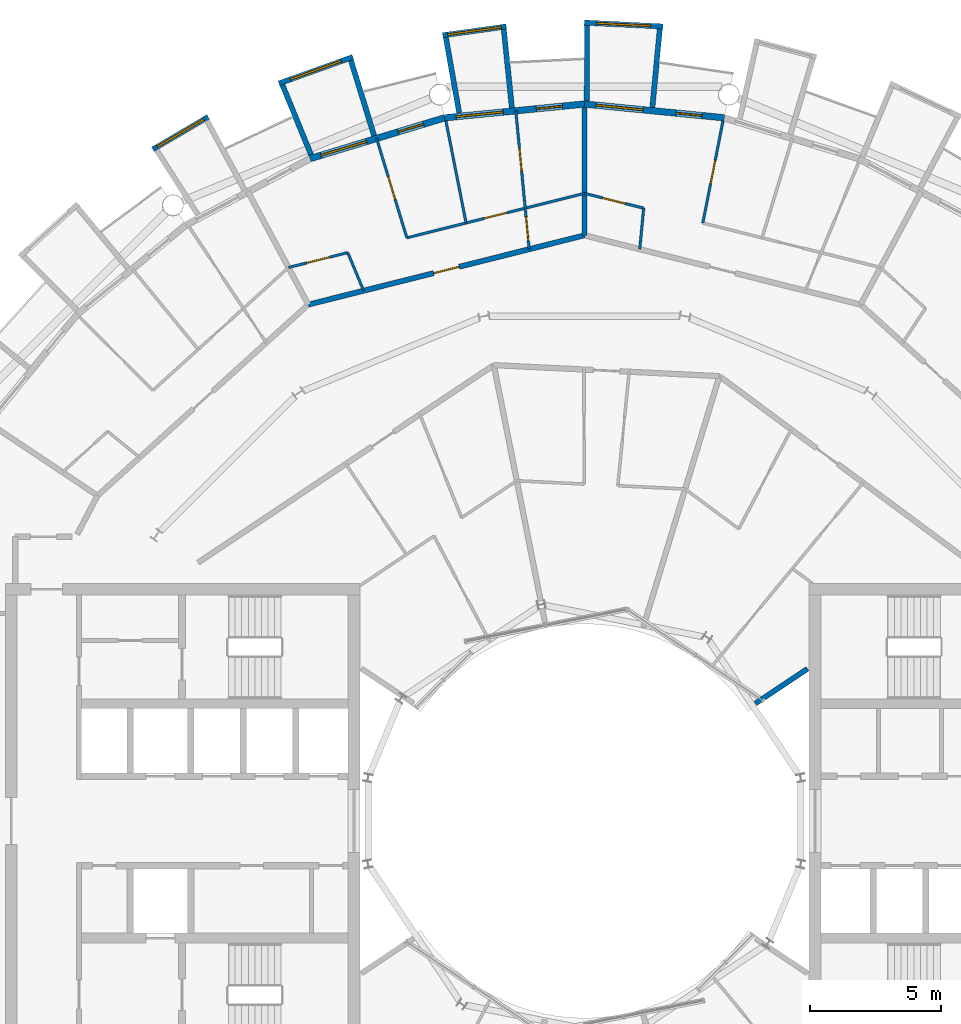
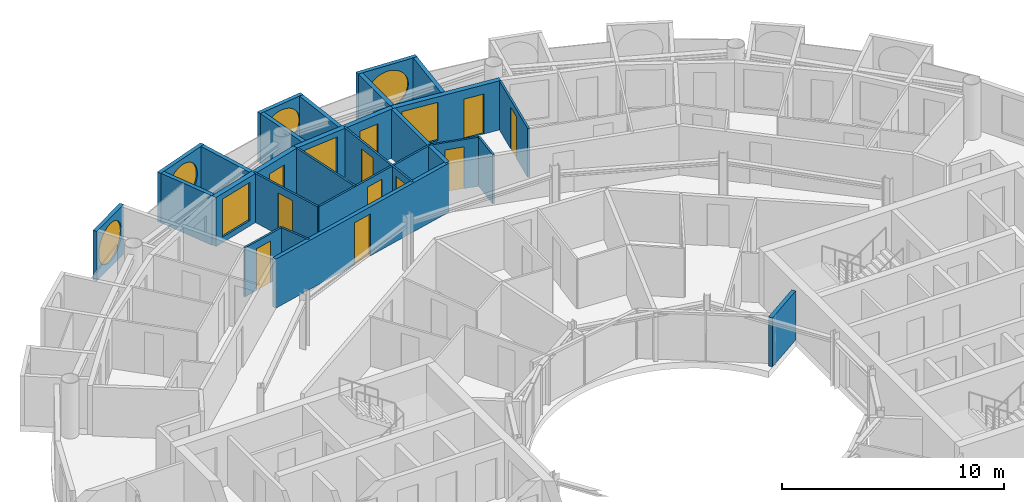
# One storey, part 22 of 29: 25 walls, 11 doors, 7 windows, 18 openings.
"""IFC4 building model written with IfcOpenShell, lengths in metres."""

from ifc_helpers import new_model, si_unit, direction, frame, frame_2d, origin, place, context, subcontext, project, spatial, rectangle, circle, extrude, material, layer, layer_set, type_object, element, fill, save


model = new_model("IFC4")

# Units and contexts
model_context = context("Model", 3, precision=1e-05, world=origin(), true_north=direction((0.0, 1.0)))
body_context = subcontext(model_context, "Body", "Model", "MODEL_VIEW")
ifc_project = project(units=[si_unit("LENGTHUNIT", "METRE"), si_unit("AREAUNIT", "SQUARE_METRE"), si_unit("VOLUMEUNIT", "CUBIC_METRE"), si_unit("PLANEANGLEUNIT", "RADIAN"), si_unit("MASSUNIT", "GRAM", prefix="KILO")], contexts=[model_context])

# Site, building, storey
site_placement = place(None, origin())
site = spatial("IfcSite", under=ifc_project, at=site_placement, CompositionType="ELEMENT")
building_placement = place(site_placement, origin())
building = spatial("IfcBuilding", under=site, at=building_placement, Name="Maasbend Ring Residences", CompositionType="ELEMENT")
storey_placement = place(building_placement, frame((0.0, 0.0, 193.25)))
storey = spatial("IfcBuildingStorey", under=building, at=storey_placement, Name="L55", CompositionType="ELEMENT", Elevation=193.25)

# Wall, opening, door
ifc_material_1 = material(Name="Concrete C30/37", Category="concrete")
ifc_layer_1 = layer(ifc_material_1, 0.199951171875)
ifc_layer_set_1 = layer_set([ifc_layer_1], Name="Concrete C30/37")
wall_type_1 = type_object("IfcWallType", Name="CORRIDOR WALL 200 CONCRETE", PredefinedType="PARTITIONING", material=ifc_layer_set_1)
wall_1_placement = place(storey_placement, frame((-10.52099609375, 19.662109375, 0.0), z_axis=(0.0, 0.0, 1.0), x_axis=(0.969975443945, 0.243202874456, 0.0)))
wall_1 = element("IfcWall", 1, at=wall_1_placement, inside=storey, type_object=wall_type_1, Name="U-L55-w105", PredefinedType="PARTITIONING", context=body_context, shape_type="SweptSolid", body=[
    extrude(rectangle(XDim=10.8466796875, YDim=0.199951171875, at=frame_2d((5.42333984375, 0.0))), origin(), (0.0, 0.0, 1.0), 2.699951171875),
])
opening_1_placement = place(wall_1_placement, frame((4.927978515625, 0.0, 0.0)))
opening_1 = element("IfcOpeningElement", 2, at=opening_1_placement, cuts=wall_1, Name="Opening D-5513", PredefinedType="OPENING", context=body_context, shape_type="SweptSolid", body=[
    extrude(rectangle(XDim=1.0, YDim=2.300048828125, at=frame_2d((0.5, 1.14990234375))), frame((0.0, 0.10986328125, 0.0), z_axis=(0.0, -1.0, 0.0), x_axis=(1.0, 0.0, 0.0)), (0.0, 0.0, 1.0), 0.219970703125),
])
ifc_material_2 = material(Name="Timber, fire-rated, painted", Category="wood")
door_type_1 = type_object("IfcDoorType", Name="FLAT ENTRANCE DOOR 1000 X 2300 FIRE-RATED", OperationType="NOTDEFINED", PredefinedType="DOOR", material=ifc_material_2)
door_1_placement = place(opening_1_placement, origin())
door_1 = element("IfcDoor", 3, at=door_1_placement, inside=storey, type_object=door_type_1, Name="D-5513", OperationType="SINGLE_SWING_RIGHT", OverallHeight=2.300048828125, OverallWidth=1.0, PredefinedType="DOOR", context=body_context, shape_type="SweptSolid", body=[
    extrude(rectangle(XDim=1.0, YDim=2.300048828125, at=frame_2d((0.5, 1.14990234375))), frame((0.0, 0.02490234375, 0.0), z_axis=(0.0, -1.0, 0.0), x_axis=(1.0, 0.0, 0.0)), (0.0, 0.0, 1.0), 0.050048828125),
])
fill(opening_1, door_1)

# Wall, opening, window
ifc_material_3 = material(Name="Pale anodised aluminium panel", Category="aluminium")
ifc_layer_2 = layer(ifc_material_3, 0.199951171875)
ifc_layer_set_2 = layer_set([ifc_layer_2], Name="EW-BOX")
wall_type_2 = type_object("IfcWallType", Name="EW-BOX", PredefinedType="SOLIDWALL", material=ifc_layer_set_2)
wall_2_placement = place(storey_placement, frame((2.985107421875, 30.2529296875, -0.030029296875), z_axis=(0.0, 0.0, 1.0), x_axis=(-0.998794083011, 0.049095618353, 0.0)))
wall_2 = element("IfcWall", 4, at=wall_2_placement, inside=storey, type_object=wall_type_2, Name="Box front N10", PredefinedType="SOLIDWALL", context=body_context, shape_type="SweptSolid", body=[
    extrude(rectangle(XDim=2.99365234375, YDim=0.199951171875, at=frame_2d((1.496826171875, 0.0))), origin(), (0.0, 0.0, 1.0), 2.72998046875),
])
opening_2_placement = place(wall_2_placement, frame((0.45654296875, 0.0, 0.330078125)))
opening_2 = element("IfcOpeningElement", 5, at=opening_2_placement, cuts=wall_2, Name="Opening W-RD", PredefinedType="OPENING", context=body_context, shape_type="SweptSolid", body=[
    extrude(circle(Radius=1.0400390625, at=frame_2d((1.0400390625, 1.0400390625))), frame((0.0, 0.10986328125, 0.0), z_axis=(0.0, -1.0, 0.0), x_axis=(1.0, 0.0, 0.0)), (0.0, 0.0, 1.0), 0.219970703125),
])
ifc_material_4 = material(Name="Aluminium and clear glass", Category="aluminium")
window_type_1 = type_object("IfcWindowType", Name="W-RD", PartitioningType="SINGLE_PANEL", PredefinedType="WINDOW", material=ifc_material_4)
window_1_placement = place(opening_2_placement, origin())
window_1 = element("IfcWindow", 6, at=window_1_placement, inside=storey, type_object=window_type_1, Name="Round window N10", OverallHeight=2.080078125, OverallWidth=2.080078125, PartitioningType="SINGLE_PANEL", PredefinedType="WINDOW", context=body_context, shape_type="SweptSolid", body=[
    extrude(circle(Radius=1.0400390625, at=frame_2d((1.0400390625, 1.0400390625))), frame((0.0, 0.030029296875, 0.0), z_axis=(0.0, -1.0, 0.0), x_axis=(1.0, 0.0, 0.0)), (0.0, 0.0, 1.0), 0.06005859375),
])
fill(opening_2, window_1)

# Walls
wall_3_placement = place(storey_placement, frame((2.5859375, 27.1708984375, -0.030029296875), z_axis=(0.0, 0.0, 1.0), x_axis=(0.094548432284, 0.995520262954, 0.0)))
element("IfcWall", 7, at=wall_3_placement, inside=storey, type_object=wall_type_2, Name="Box side wall N10 left", PredefinedType="SOLIDWALL", context=body_context, shape_type="SweptSolid", body=[
    extrude(rectangle(XDim=3.005615234375, YDim=0.199951171875, at=frame_2d((1.5029296875, 0.0))), origin(), (0.0, 0.0, 1.0), 2.72998046875),
])
wall_4_placement = place(storey_placement, frame((0.090087890625, 27.4169921875, -0.030029296875), z_axis=(0.0, 0.0, 1.0), x_axis=(0.00347308367, 0.999993968827, 0.0)))
element("IfcWall", 8, at=wall_4_placement, inside=storey, type_object=wall_type_2, Name="Box side wall N10 right", PredefinedType="SOLIDWALL", context=body_context, shape_type="SweptSolid", body=[
    extrude(rectangle(XDim=2.882080078125, YDim=0.199951171875, at=frame_2d((1.44091796875, 0.0))), origin(), (0.0, 0.0, 1.0), 2.72998046875),
])

# Wall, opening, window
wall_5_placement = place(storey_placement, frame((-2.97607421875, 30.25390625, -0.030029296875), z_axis=(0.0, 0.0, 1.0), x_axis=(-0.990462016113, -0.137786046596, 0.0)))
wall_5 = element("IfcWall", 9, at=wall_5_placement, inside=storey, type_object=wall_type_2, Name="Box front N12", PredefinedType="SOLIDWALL", context=body_context, shape_type="SweptSolid", body=[
    extrude(rectangle(XDim=2.4453125, YDim=0.199951171875, at=frame_2d((1.22265625, 0.0))), origin(), (0.0, 0.0, 1.0), 2.72998046875),
])
opening_3_placement = place(wall_5_placement, frame((0.182861328125, 0.0, 0.330078125)))
opening_3 = element("IfcOpeningElement", 10, at=opening_3_placement, cuts=wall_5, Name="Opening W-RD", PredefinedType="OPENING", context=body_context, shape_type="SweptSolid", body=[
    extrude(circle(Radius=1.0400390625, at=frame_2d((1.0400390625, 1.0400390625))), frame((0.0, 0.10986328125, 0.0), z_axis=(0.0, -1.0, 0.0), x_axis=(1.0, 0.0, 0.0)), (0.0, 0.0, 1.0), 0.219970703125),
])
window_2_placement = place(opening_3_placement, origin())
window_2 = element("IfcWindow", 11, at=window_2_placement, inside=storey, type_object=window_type_1, Name="Round window N12", OverallHeight=2.080078125, OverallWidth=2.080078125, PartitioningType="SINGLE_PANEL", PredefinedType="WINDOW", context=body_context, shape_type="SweptSolid", body=[
    extrude(circle(Radius=1.0400390625, at=frame_2d((1.0400390625, 1.0400390625))), frame((0.0, 0.030029296875, 0.0), z_axis=(0.0, -1.0, 0.0), x_axis=(1.0, 0.0, 0.0)), (0.0, 0.0, 1.0), 0.06005859375),
])
fill(opening_3, window_2)

# Walls
wall_6_placement = place(storey_placement, frame((-2.763916015625, 27.153076171875, -0.030029296875), z_axis=(0.0, 0.0, 1.0), x_axis=(-0.101505487237, 0.994834979311, 0.0)))
element("IfcWall", 12, at=wall_6_placement, inside=storey, type_object=wall_type_2, Name="Box side wall N12 left", PredefinedType="SOLIDWALL", context=body_context, shape_type="SweptSolid", body=[
    extrude(rectangle(XDim=3.006591796875, YDim=0.199951171875, at=frame_2d((1.50341796875, 0.0))), origin(), (0.0, 0.0, 1.0), 2.72998046875),
])
wall_7_placement = place(storey_placement, frame((-4.76904296875, 26.9560546875, -0.030029296875), z_axis=(0.0, 0.0, 1.0), x_axis=(-0.174056778901, 0.984735618183, 0.0)))
element("IfcWall", 13, at=wall_7_placement, inside=storey, type_object=wall_type_2, Name="Box side wall N12 right", PredefinedType="SOLIDWALL", context=body_context, shape_type="SweptSolid", body=[
    extrude(rectangle(XDim=2.924560546875, YDim=0.199951171875, at=frame_2d((1.46240234375, 0.0))), origin(), (0.0, 0.0, 1.0), 2.72998046875),
])

# Wall, opening, window
wall_8_placement = place(storey_placement, frame((-8.820068359375, 29.093017578125, -0.030029296875), z_axis=(0.0, 0.0, 1.0), x_axis=(-0.941461077774, -0.337121697664, 0.0)))
wall_8 = element("IfcWall", 14, at=wall_8_placement, inside=storey, type_object=wall_type_2, Name="Box front N14", PredefinedType="SOLIDWALL", context=body_context, shape_type="SweptSolid", body=[
    extrude(rectangle(XDim=2.9931640625, YDim=0.199951171875, at=frame_2d((1.49658203125, 0.0))), origin(), (0.0, 0.0, 1.0), 2.72998046875),
])
opening_4_placement = place(wall_8_placement, frame((0.45654296875, 0.0, 0.330078125)))
opening_4 = element("IfcOpeningElement", 15, at=opening_4_placement, cuts=wall_8, Name="Opening W-RD", PredefinedType="OPENING", context=body_context, shape_type="SweptSolid", body=[
    extrude(circle(Radius=1.0400390625, at=frame_2d((1.0400390625, 1.0400390625))), frame((0.0, 0.10986328125, 0.0), z_axis=(0.0, -1.0, 0.0), x_axis=(1.0, 0.0, 0.0)), (0.0, 0.0, 1.0), 0.219970703125),
])
window_3_placement = place(opening_4_placement, origin())
window_3 = element("IfcWindow", 16, at=window_3_placement, inside=storey, type_object=window_type_1, Name="Round window N14", OverallHeight=2.080078125, OverallWidth=2.080078125, PartitioningType="SINGLE_PANEL", PredefinedType="WINDOW", context=body_context, shape_type="SweptSolid", body=[
    extrude(circle(Radius=1.0400390625, at=frame_2d((1.0400390625, 1.0400390625))), frame((0.0, 0.030029296875, 0.0), z_axis=(0.0, -1.0, 0.0), x_axis=(1.0, 0.0, 0.0)), (0.0, 0.0, 1.0), 0.06005859375),
])
fill(opening_4, window_3)

# Walls
wall_9_placement = place(storey_placement, frame((-8.009033203125, 26.092041015625, -0.030029296875), z_axis=(0.0, 0.0, 1.0), x_axis=(-0.293406695073, 0.955987715029, 0.0)))
element("IfcWall", 17, at=wall_9_placement, inside=storey, type_object=wall_type_2, Name="Box side wall N14 left", PredefinedType="SOLIDWALL", context=body_context, shape_type="SweptSolid", body=[
    extrude(rectangle(XDim=3.00634765625, YDim=0.199951171875, at=frame_2d((1.503173828125, 0.0))), origin(), (0.0, 0.0, 1.0), 2.72998046875),
])
wall_10_placement = place(storey_placement, frame((-10.408935546875, 25.364013671875, -0.030029296875), z_axis=(0.0, 0.0, 1.0), x_axis=(-0.379509886562, 0.925187681501, 0.0)))
element("IfcWall", 18, at=wall_10_placement, inside=storey, type_object=wall_type_2, Name="Box side wall N14 right", PredefinedType="SOLIDWALL", context=body_context, shape_type="SweptSolid", body=[
    extrude(rectangle(XDim=2.882568359375, YDim=0.199951171875, at=frame_2d((1.44140625, 0.0))), origin(), (0.0, 0.0, 1.0), 2.72998046875),
])

# Wall, opening, window
wall_11_placement = place(storey_placement, frame((-14.326904296875, 26.81201171875, -0.030029296875), z_axis=(0.0, 0.0, 1.0), x_axis=(-0.862403467503, -0.506221551535, 0.0)))
wall_11 = element("IfcWall", 19, at=wall_11_placement, inside=storey, type_object=wall_type_2, Name="Box front N16", PredefinedType="SOLIDWALL", context=body_context, shape_type="SweptSolid", body=[
    extrude(rectangle(XDim=2.445556640625, YDim=0.199951171875, at=frame_2d((1.22265625, 0.0))), origin(), (0.0, 0.0, 1.0), 2.72998046875),
])
opening_5_placement = place(wall_11_placement, frame((0.182861328125, 0.0, 0.330078125)))
opening_5 = element("IfcOpeningElement", 20, at=opening_5_placement, cuts=wall_11, Name="Opening W-RD", PredefinedType="OPENING", context=body_context, shape_type="SweptSolid", body=[
    extrude(circle(Radius=1.0400390625, at=frame_2d((1.0400390625, 1.0400390625))), frame((0.0, 0.10986328125, 0.0), z_axis=(0.0, -1.0, 0.0), x_axis=(1.0, 0.0, 0.0)), (0.0, 0.0, 1.0), 0.219970703125),
])
window_4_placement = place(opening_5_placement, origin())
window_4 = element("IfcWindow", 21, at=window_4_placement, inside=storey, type_object=window_type_1, Name="Round window N16", OverallHeight=2.080078125, OverallWidth=2.080078125, PartitioningType="SINGLE_PANEL", PredefinedType="WINDOW", context=body_context, shape_type="SweptSolid", body=[
    extrude(circle(Radius=1.0400390625, at=frame_2d((1.0400390625, 1.0400390625))), frame((0.0, 0.030029296875, 0.0), z_axis=(0.0, -1.0, 0.0), x_axis=(1.0, 0.0, 0.0)), (0.0, 0.0, 1.0), 0.06005859375),
])
fill(opening_5, window_4)

# Wall, openings, door, window
ifc_material_5 = material(Name="Aluminium clad insulated panel", Category="aluminium")
ifc_layer_3 = layer(ifc_material_5, 0.25)
ifc_layer_set_3 = layer_set([ifc_layer_3], Name="EW-GL")
wall_type_3 = type_object("IfcWallType", Name="EW-GL", PredefinedType="SOLIDWALL", material=ifc_layer_set_3)
wall_12_placement = place(storey_placement, frame((5.325927734375, 26.77490234375, 0.0), z_axis=(0.0, 0.0, 1.0), x_axis=(-0.995173996315, 0.098126026407, 0.0)))
wall_12 = element("IfcWall", 22, at=wall_12_placement, inside=storey, type_object=wall_type_3, Name="External wall N05", PredefinedType="SOLIDWALL", context=body_context, shape_type="SweptSolid", body=[
    extrude(rectangle(XDim=5.351806640625, YDim=0.25, at=frame_2d((2.67578125, 0.0))), origin(), (0.0, 0.0, 1.0), 2.699951171875),
])
opening_6_placement = place(wall_12_placement, frame((0.841064453125, 0.0, 0.0)))
opening_6 = element("IfcOpeningElement", 23, at=opening_6_placement, cuts=wall_12, Name="Opening D-LG", PredefinedType="OPENING", context=body_context, shape_type="SweptSolid", body=[
    extrude(rectangle(XDim=1.0, YDim=2.199951171875, at=frame_2d((0.5, 1.10009765625))), frame((0.0, 0.135009765625, 0.0), z_axis=(0.0, -1.0, 0.0), x_axis=(1.0, 0.0, 0.0)), (0.0, 0.0, 1.0), 0.27001953125),
])
opening_7_placement = place(wall_12_placement, frame((3.110595703125, 0.0, 0.300048828125)))
opening_7 = element("IfcOpeningElement", 24, at=opening_7_placement, cuts=wall_12, Name="Opening W-BX", PredefinedType="OPENING", context=body_context, shape_type="SweptSolid", body=[
    extrude(rectangle(XDim=1.800048828125, YDim=2.10009765625, at=frame_2d((0.89990234375, 1.050048828125))), frame((0.0, 0.135009765625, 0.0), z_axis=(0.0, -1.0, 0.0), x_axis=(1.0, 0.0, 0.0)), (0.0, 0.0, 1.0), 0.27001953125),
])
ifc_material_6 = material(Name="Aluminium and clear glass", Category="aluminium")
door_type_2 = type_object("IfcDoorType", Name="D-LG", OperationType="SINGLE_SWING_LEFT", PredefinedType="DOOR", material=ifc_material_6)
door_2_placement = place(opening_6_placement, origin())
door_2 = element("IfcDoor", 25, at=door_2_placement, inside=storey, type_object=door_type_2, Name="Loggia door N09", OperationType="SINGLE_SWING_LEFT", OverallHeight=2.199951171875, OverallWidth=1.0, PredefinedType="DOOR", context=body_context, shape_type="SweptSolid", body=[
    extrude(rectangle(XDim=1.0, YDim=2.199951171875, at=frame_2d((0.5, 1.10009765625))), frame((0.0, 0.02490234375, 0.0), z_axis=(0.0, -1.0, 0.0), x_axis=(1.0, 0.0, 0.0)), (0.0, 0.0, 1.0), 0.050048828125),
])
fill(opening_6, door_2)
ifc_material_7 = material(Name="Aluminium and clear glass", Category="aluminium")
window_type_2 = type_object("IfcWindowType", Name="W-BX", PartitioningType="DOUBLE_PANEL_VERTICAL", PredefinedType="WINDOW", material=ifc_material_7)
window_5_placement = place(opening_7_placement, origin())
window_5 = element("IfcWindow", 26, at=window_5_placement, inside=storey, type_object=window_type_2, Name="Window N10 room to box", OverallHeight=2.10009765625, OverallWidth=1.800048828125, PartitioningType="SINGLE_PANEL", PredefinedType="WINDOW", context=body_context, shape_type="SweptSolid", body=[
    extrude(rectangle(XDim=1.800048828125, YDim=2.10009765625, at=frame_2d((0.89990234375, 1.050048828125))), frame((0.0, 0.030029296875, 0.0), z_axis=(0.0, -1.0, 0.0), x_axis=(1.0, 0.0, 0.0)), (0.0, 0.0, 1.0), 0.06005859375),
])
fill(opening_7, window_5)

wall_13_placement = place(storey_placement, frame((0.0, 27.300048828125, 0.0), z_axis=(0.0, 0.0, 1.0), x_axis=(-0.995173996315, -0.098126026407, 0.0)))
wall_13 = element("IfcWall", 27, at=wall_13_placement, inside=storey, type_object=wall_type_3, Name="External wall N06", PredefinedType="SOLIDWALL", context=body_context, shape_type="SweptSolid", body=[
    extrude(rectangle(XDim=5.351806640625, YDim=0.25, at=frame_2d((2.67578125, 0.0))), origin(), (0.0, 0.0, 1.0), 2.699951171875),
])
opening_8_placement = place(wall_13_placement, frame((0.841064453125, 0.0, 0.0)))
opening_8 = element("IfcOpeningElement", 28, at=opening_8_placement, cuts=wall_13, Name="Opening D-LG", PredefinedType="OPENING", context=body_context, shape_type="SweptSolid", body=[
    extrude(rectangle(XDim=1.0, YDim=2.199951171875, at=frame_2d((0.5, 1.10009765625))), frame((0.0, 0.135009765625, 0.0), z_axis=(0.0, -1.0, 0.0), x_axis=(1.0, 0.0, 0.0)), (0.0, 0.0, 1.0), 0.27001953125),
])
opening_9_placement = place(wall_13_placement, frame((3.110595703125, 0.0, 0.300048828125)))
opening_9 = element("IfcOpeningElement", 29, at=opening_9_placement, cuts=wall_13, Name="Opening W-BX", PredefinedType="OPENING", context=body_context, shape_type="SweptSolid", body=[
    extrude(rectangle(XDim=1.800048828125, YDim=2.10009765625, at=frame_2d((0.89990234375, 1.050048828125))), frame((0.0, 0.135009765625, 0.0), z_axis=(0.0, -1.0, 0.0), x_axis=(1.0, 0.0, 0.0)), (0.0, 0.0, 1.0), 0.27001953125),
])
door_3_placement = place(opening_8_placement, origin())
door_3 = element("IfcDoor", 30, at=door_3_placement, inside=storey, type_object=door_type_2, Name="Loggia door N11", OperationType="SINGLE_SWING_LEFT", OverallHeight=2.199951171875, OverallWidth=1.0, PredefinedType="DOOR", context=body_context, shape_type="SweptSolid", body=[
    extrude(rectangle(XDim=1.0, YDim=2.199951171875, at=frame_2d((0.5, 1.10009765625))), frame((0.0, 0.02490234375, 0.0), z_axis=(0.0, -1.0, 0.0), x_axis=(1.0, 0.0, 0.0)), (0.0, 0.0, 1.0), 0.050048828125),
])
fill(opening_8, door_3)
window_6_placement = place(opening_9_placement, origin())
window_6 = element("IfcWindow", 31, at=window_6_placement, inside=storey, type_object=window_type_2, Name="Window N12 room to box", OverallHeight=2.10009765625, OverallWidth=1.800048828125, PartitioningType="SINGLE_PANEL", PredefinedType="WINDOW", context=body_context, shape_type="SweptSolid", body=[
    extrude(rectangle(XDim=1.800048828125, YDim=2.10009765625, at=frame_2d((0.89990234375, 1.050048828125))), frame((0.0, 0.030029296875, 0.0), z_axis=(0.0, -1.0, 0.0), x_axis=(1.0, 0.0, 0.0)), (0.0, 0.0, 1.0), 0.06005859375),
])
fill(opening_9, window_6)

wall_14_placement = place(storey_placement, frame((-5.325927734375, 26.77490234375, 0.0), z_axis=(0.0, 0.0, 1.0), x_axis=(-0.956965678721, -0.290201119486, 0.0)))
wall_14 = element("IfcWall", 32, at=wall_14_placement, inside=storey, type_object=wall_type_3, Name="External wall N07", PredefinedType="SOLIDWALL", context=body_context, shape_type="SweptSolid", body=[
    extrude(rectangle(XDim=5.351318359375, YDim=0.25, at=frame_2d((2.67578125, 0.0))), origin(), (0.0, 0.0, 1.0), 2.699951171875),
])
opening_10_placement = place(wall_14_placement, frame((0.841064453125, 0.0, 0.0)))
opening_10 = element("IfcOpeningElement", 33, at=opening_10_placement, cuts=wall_14, Name="Opening D-LG", PredefinedType="OPENING", context=body_context, shape_type="SweptSolid", body=[
    extrude(rectangle(XDim=1.0, YDim=2.199951171875, at=frame_2d((0.5, 1.10009765625))), frame((0.0, 0.135009765625, 0.0), z_axis=(0.0, -1.0, 0.0), x_axis=(1.0, 0.0, 0.0)), (0.0, 0.0, 1.0), 0.27001953125),
])
opening_11_placement = place(wall_14_placement, frame((3.110595703125, 0.0, 0.300048828125)))
opening_11 = element("IfcOpeningElement", 34, at=opening_11_placement, cuts=wall_14, Name="Opening W-BX", PredefinedType="OPENING", context=body_context, shape_type="SweptSolid", body=[
    extrude(rectangle(XDim=1.800048828125, YDim=2.10009765625, at=frame_2d((0.89990234375, 1.050048828125))), frame((0.0, 0.135009765625, 0.0), z_axis=(0.0, -1.0, 0.0), x_axis=(1.0, 0.0, 0.0)), (0.0, 0.0, 1.0), 0.27001953125),
])
door_4_placement = place(opening_10_placement, origin())
door_4 = element("IfcDoor", 35, at=door_4_placement, inside=storey, type_object=door_type_2, Name="Loggia door N13", OperationType="SINGLE_SWING_LEFT", OverallHeight=2.199951171875, OverallWidth=1.0, PredefinedType="DOOR", context=body_context, shape_type="SweptSolid", body=[
    extrude(rectangle(XDim=1.0, YDim=2.199951171875, at=frame_2d((0.5, 1.10009765625))), frame((0.0, 0.02490234375, 0.0), z_axis=(0.0, -1.0, 0.0), x_axis=(1.0, 0.0, 0.0)), (0.0, 0.0, 1.0), 0.050048828125),
])
fill(opening_10, door_4)
window_7_placement = place(opening_11_placement, origin())
window_7 = element("IfcWindow", 36, at=window_7_placement, inside=storey, type_object=window_type_2, Name="Window N14 room to box", OverallHeight=2.10009765625, OverallWidth=1.800048828125, PartitioningType="SINGLE_PANEL", PredefinedType="WINDOW", context=body_context, shape_type="SweptSolid", body=[
    extrude(rectangle(XDim=1.800048828125, YDim=2.10009765625, at=frame_2d((0.89990234375, 1.050048828125))), frame((0.0, 0.030029296875, 0.0), z_axis=(0.0, -1.0, 0.0), x_axis=(1.0, 0.0, 0.0)), (0.0, 0.0, 1.0), 0.06005859375),
])
fill(opening_11, window_7)

# Wall
ifc_material_8 = material(Name="Gypsum board on steel studs", Category="steel")
ifc_layer_4 = layer(ifc_material_8, 0.10009765625)
ifc_layer_set_4 = layer_set([ifc_layer_4], Name="PARTITION 100 GYPSUM")
wall_type_4 = type_object("IfcWallType", Name="PARTITION 100 GYPSUM", PredefinedType="PARTITIONING", material=ifc_layer_set_4)
wall_15_placement = place(storey_placement, frame((-9.012939453125, 21.64208984375, 0.0), z_axis=(0.0, 0.0, 1.0), x_axis=(0.384228756538, -0.923237923099, 0.0)))
element("IfcWall", 37, at=wall_15_placement, inside=storey, type_object=wall_type_4, Name="U-L55-w030", PredefinedType="PARTITIONING", context=body_context, shape_type="SweptSolid", body=[
    extrude(rectangle(XDim=1.5693359375, YDim=0.10009765625, at=frame_2d((0.78466796875, 0.0))), origin(), (0.0, 0.0, 1.0), 2.699951171875),
])

# Wall, opening, door
wall_16_placement = place(storey_placement, frame((-7.9169921875, 25.99609375, 0.0), z_axis=(0.0, 0.0, 1.0), x_axis=(0.291291575636, -0.956634317785, 0.0)))
wall_16 = element("IfcWall", 38, at=wall_16_placement, inside=storey, type_object=wall_type_4, Name="U-L55-w047", PredefinedType="PARTITIONING", context=body_context, shape_type="SweptSolid", body=[
    extrude(rectangle(XDim=3.9619140625, YDim=0.10009765625, at=frame_2d((1.98095703125, 0.0))), origin(), (0.0, 0.0, 1.0), 2.699951171875),
])
opening_12_placement = place(wall_16_placement, frame((1.531005859375, 0.0, 0.0)))
opening_12 = element("IfcOpeningElement", 39, at=opening_12_placement, cuts=wall_16, Name="Opening D-5516", PredefinedType="OPENING", context=body_context, shape_type="SweptSolid", body=[
    extrude(rectangle(XDim=0.89990234375, YDim=2.300048828125, at=frame_2d((0.449951171875, 1.14990234375))), frame((0.0, 0.06005859375, 0.0), z_axis=(0.0, -1.0, 0.0), x_axis=(1.0, 0.0, 0.0)), (0.0, 0.0, 1.0), 0.1201171875),
])
ifc_material_9 = material(Name="Timber, painted", Category="wood")
door_type_3 = type_object("IfcDoorType", Name="INTERNAL DOOR 900 X 2300", OperationType="NOTDEFINED", PredefinedType="DOOR", material=ifc_material_9)
door_5_placement = place(opening_12_placement, origin())
door_5 = element("IfcDoor", 40, at=door_5_placement, inside=storey, type_object=door_type_3, Name="D-5516", OperationType="SINGLE_SWING_LEFT", OverallHeight=2.300048828125, OverallWidth=0.89990234375, PredefinedType="DOOR", context=body_context, shape_type="SweptSolid", body=[
    extrude(rectangle(XDim=0.89990234375, YDim=2.300048828125, at=frame_2d((0.449951171875, 1.14990234375))), frame((0.0, 0.02490234375, 0.0), z_axis=(0.0, -1.0, 0.0), x_axis=(1.0, 0.0, 0.0)), (0.0, 0.0, 1.0), 0.050048828125),
])
fill(opening_12, door_5)

# Wall
wall_17_placement = place(storey_placement, frame((-5.27587890625, 26.657958984375, 0.0), z_axis=(0.0, 0.0, 1.0), x_axis=(0.194030211642, -0.980995554001, 0.0)))
element("IfcWall", 41, at=wall_17_placement, inside=storey, type_object=wall_type_4, Name="U-L55-w053", PredefinedType="PARTITIONING", context=body_context, shape_type="SweptSolid", body=[
    extrude(rectangle(XDim=3.962158203125, YDim=0.10009765625, at=frame_2d((1.98095703125, 0.0))), origin(), (0.0, 0.0, 1.0), 2.699951171875),
])

# Wall, openings, doors
wall_18_placement = place(storey_placement, frame((-2.614990234375, 27.049072265625, 0.0), z_axis=(0.0, 0.0, 1.0), x_axis=(0.096215269366, -0.995360548716, 0.0)))
wall_18 = element("IfcWall", 42, at=wall_18_placement, inside=storey, type_object=wall_type_4, Name="U-L55-w057", PredefinedType="PARTITIONING", context=body_context, shape_type="SweptSolid", body=[
    extrude(rectangle(XDim=5.30078125, YDim=0.10009765625, at=frame_2d((2.650390625, 0.0))), origin(), (0.0, 0.0, 1.0), 2.699951171875),
])
opening_13_placement = place(wall_18_placement, frame((4.06591796875, 0.0, 0.0)))
opening_13 = element("IfcOpeningElement", 43, at=opening_13_placement, cuts=wall_18, Name="Opening D-5515", PredefinedType="OPENING", context=body_context, shape_type="SweptSolid", body=[
    extrude(rectangle(XDim=0.89990234375, YDim=2.300048828125, at=frame_2d((0.449951171875, 1.14990234375))), frame((0.0, 0.06005859375, 0.0), z_axis=(0.0, -1.0, 0.0), x_axis=(1.0, 0.0, 0.0)), (0.0, 0.0, 1.0), 0.1201171875),
])
opening_14_placement = place(wall_18_placement, frame((1.4150390625, 0.0, 0.0)))
opening_14 = element("IfcOpeningElement", 44, at=opening_14_placement, cuts=wall_18, Name="Opening D-5518", PredefinedType="OPENING", context=body_context, shape_type="SweptSolid", body=[
    extrude(rectangle(XDim=0.89990234375, YDim=2.300048828125, at=frame_2d((0.449951171875, 1.14990234375))), frame((0.0, 0.06005859375, 0.0), z_axis=(0.0, -1.0, 0.0), x_axis=(1.0, 0.0, 0.0)), (0.0, 0.0, 1.0), 0.1201171875),
])
door_6_placement = place(opening_13_placement, origin())
door_6 = element("IfcDoor", 45, at=door_6_placement, inside=storey, type_object=door_type_3, Name="D-5515", OperationType="SINGLE_SWING_RIGHT", OverallHeight=2.300048828125, OverallWidth=0.89990234375, PredefinedType="DOOR", context=body_context, shape_type="SweptSolid", body=[
    extrude(rectangle(XDim=0.89990234375, YDim=2.300048828125, at=frame_2d((0.449951171875, 1.14990234375))), frame((0.0, 0.02490234375, 0.0), z_axis=(0.0, -1.0, 0.0), x_axis=(1.0, 0.0, 0.0)), (0.0, 0.0, 1.0), 0.050048828125),
])
fill(opening_13, door_6)
door_7_placement = place(opening_14_placement, origin())
door_7 = element("IfcDoor", 46, at=door_7_placement, inside=storey, type_object=door_type_3, Name="D-5518", OperationType="SINGLE_SWING_LEFT", OverallHeight=2.300048828125, OverallWidth=0.89990234375, PredefinedType="DOOR", context=body_context, shape_type="SweptSolid", body=[
    extrude(rectangle(XDim=0.89990234375, YDim=2.300048828125, at=frame_2d((0.449951171875, 1.14990234375))), frame((0.0, 0.02490234375, 0.0), z_axis=(0.0, -1.0, 0.0), x_axis=(1.0, 0.0, 0.0)), (0.0, 0.0, 1.0), 0.050048828125),
])
fill(opening_14, door_7)

# Wall
wall_19_placement = place(storey_placement, frame((2.10498046875, 21.77294921875, 0.0), z_axis=(0.0, 0.0, 1.0), x_axis=(0.096239724492, 0.995358184489, 0.0)))
element("IfcWall", 47, at=wall_19_placement, inside=storey, type_object=wall_type_4, Name="U-L55-w067", PredefinedType="PARTITIONING", context=body_context, shape_type="SweptSolid", body=[
    extrude(rectangle(XDim=1.5703125, YDim=0.10009765625, at=frame_2d((0.78515625, 0.0))), origin(), (0.0, 0.0, 1.0), 2.699951171875),
])

# Wall, opening, door
wall_20_placement = place(storey_placement, frame((4.507080078125, 22.77099609375, 0.0), z_axis=(0.0, 0.0, 1.0), x_axis=(0.194030211642, 0.980995554001, 0.0)))
wall_20 = element("IfcWall", 48, at=wall_20_placement, inside=storey, type_object=wall_type_4, Name="U-L55-w071", PredefinedType="PARTITIONING", context=body_context, shape_type="SweptSolid", body=[
    extrude(rectangle(XDim=3.962158203125, YDim=0.10009765625, at=frame_2d((1.98095703125, 0.0))), origin(), (0.0, 0.0, 1.0), 2.699951171875),
])
opening_15_placement = place(wall_20_placement, frame((1.531005859375, 0.0, 0.0)))
opening_15 = element("IfcOpeningElement", 49, at=opening_15_placement, cuts=wall_20, Name="Opening D-5510", PredefinedType="OPENING", context=body_context, shape_type="SweptSolid", body=[
    extrude(rectangle(XDim=0.89990234375, YDim=2.300048828125, at=frame_2d((0.449951171875, 1.14990234375))), frame((0.0, 0.06005859375, 0.0), z_axis=(0.0, -1.0, 0.0), x_axis=(1.0, 0.0, 0.0)), (0.0, 0.0, 1.0), 0.1201171875),
])
door_8_placement = place(opening_15_placement, origin())
door_8 = element("IfcDoor", 50, at=door_8_placement, inside=storey, type_object=door_type_3, Name="D-5510", OperationType="SINGLE_SWING_RIGHT", OverallHeight=2.300048828125, OverallWidth=0.89990234375, PredefinedType="DOOR", context=body_context, shape_type="SweptSolid", body=[
    extrude(rectangle(XDim=0.89990234375, YDim=2.300048828125, at=frame_2d((0.449951171875, 1.14990234375))), frame((0.0, 0.02490234375, 0.0), z_axis=(0.0, -1.0, 0.0), x_axis=(1.0, 0.0, 0.0)), (0.0, 0.0, 1.0), 0.050048828125),
])
fill(opening_15, door_8)

wall_21_placement = place(storey_placement, frame((-11.26611328125, 21.077880859375, 0.0), z_axis=(0.0, 0.0, 1.0), x_axis=(0.970074478144, 0.242807551066, 0.0)))
wall_21 = element("IfcWall", 51, at=wall_21_placement, inside=storey, type_object=wall_type_4, Name="U-L55-w114", PredefinedType="PARTITIONING", context=body_context, shape_type="SweptSolid", body=[
    extrude(rectangle(XDim=2.32373046875, YDim=0.10009765625, at=frame_2d((1.161865234375, 0.0))), origin(), (0.0, 0.0, 1.0), 2.699951171875),
])
opening_16_placement = place(wall_21_placement, frame((0.7119140625, 0.0, 0.0)))
opening_16 = element("IfcOpeningElement", 52, at=opening_16_placement, cuts=wall_21, Name="Opening D-5514", PredefinedType="OPENING", context=body_context, shape_type="SweptSolid", body=[
    extrude(rectangle(XDim=0.89990234375, YDim=2.300048828125, at=frame_2d((0.449951171875, 1.14990234375))), frame((0.0, 0.06005859375, 0.0), z_axis=(0.0, -1.0, 0.0), x_axis=(1.0, 0.0, 0.0)), (0.0, 0.0, 1.0), 0.1201171875),
])
door_9_placement = place(opening_16_placement, origin())
door_9 = element("IfcDoor", 53, at=door_9_placement, inside=storey, type_object=door_type_3, Name="D-5514", OperationType="SINGLE_SWING_LEFT", OverallHeight=2.300048828125, OverallWidth=0.89990234375, PredefinedType="DOOR", context=body_context, shape_type="SweptSolid", body=[
    extrude(rectangle(XDim=0.89990234375, YDim=2.300048828125, at=frame_2d((0.449951171875, 1.14990234375))), frame((0.0, 0.02490234375, 0.0), z_axis=(0.0, -1.0, 0.0), x_axis=(1.0, 0.0, 0.0)), (0.0, 0.0, 1.0), 0.050048828125),
])
fill(opening_16, door_9)

wall_22_placement = place(storey_placement, frame((-6.760009765625, 22.2060546875, 0.0), z_axis=(0.0, 0.0, 1.0), x_axis=(0.9700785795, 0.242791164576, 0.0)))
wall_22 = element("IfcWall", 54, at=wall_22_placement, inside=storey, type_object=wall_type_4, Name="U-L55-w115", PredefinedType="PARTITIONING", context=body_context, shape_type="SweptSolid", body=[
    extrude(rectangle(XDim=6.968505859375, YDim=0.10009765625, at=frame_2d((3.484375, 0.0))), origin(), (0.0, 0.0, 1.0), 2.699951171875),
])
opening_17_placement = place(wall_22_placement, frame((3.035888671875, 0.0, 0.0)))
opening_17 = element("IfcOpeningElement", 55, at=opening_17_placement, cuts=wall_22, Name="Opening D-5517", PredefinedType="OPENING", context=body_context, shape_type="SweptSolid", body=[
    extrude(rectangle(XDim=0.89990234375, YDim=2.300048828125, at=frame_2d((0.449951171875, 1.14990234375))), frame((0.0, 0.06005859375, 0.0), z_axis=(0.0, -1.0, 0.0), x_axis=(1.0, 0.0, 0.0)), (0.0, 0.0, 1.0), 0.1201171875),
])
door_10_placement = place(opening_17_placement, origin())
door_10 = element("IfcDoor", 56, at=door_10_placement, inside=storey, type_object=door_type_3, Name="D-5517", OperationType="SINGLE_SWING_RIGHT", OverallHeight=2.300048828125, OverallWidth=0.89990234375, PredefinedType="DOOR", context=body_context, shape_type="SweptSolid", body=[
    extrude(rectangle(XDim=0.89990234375, YDim=2.300048828125, at=frame_2d((0.449951171875, 1.14990234375))), frame((0.0, 0.02490234375, 0.0), z_axis=(0.0, -1.0, 0.0), x_axis=(1.0, 0.0, 0.0)), (0.0, 0.0, 1.0), 0.050048828125),
])
fill(opening_17, door_10)

wall_23_placement = place(storey_placement, frame((0.0, 23.89794921875, 0.0), z_axis=(0.0, 0.0, 1.0), x_axis=(0.970068250789, -0.242832429489, 0.0)))
wall_23 = element("IfcWall", 57, at=wall_23_placement, inside=storey, type_object=wall_type_4, Name="U-L55-w116", PredefinedType="PARTITIONING", context=body_context, shape_type="SweptSolid", body=[
    extrude(rectangle(XDim=2.322509765625, YDim=0.10009765625, at=frame_2d((1.1611328125, 0.0))), origin(), (0.0, 0.0, 1.0), 2.699951171875),
])
opening_18_placement = place(wall_23_placement, frame((0.7109375, 0.0, 0.0)))
opening_18 = element("IfcOpeningElement", 58, at=opening_18_placement, cuts=wall_23, Name="Opening D-5508", PredefinedType="OPENING", context=body_context, shape_type="SweptSolid", body=[
    extrude(rectangle(XDim=0.89990234375, YDim=2.300048828125, at=frame_2d((0.449951171875, 1.14990234375))), frame((0.0, 0.06005859375, 0.0), z_axis=(0.0, -1.0, 0.0), x_axis=(1.0, 0.0, 0.0)), (0.0, 0.0, 1.0), 0.1201171875),
])
door_11_placement = place(opening_18_placement, origin())
door_11 = element("IfcDoor", 59, at=door_11_placement, inside=storey, type_object=door_type_3, Name="D-5508", OperationType="SINGLE_SWING_LEFT", OverallHeight=2.300048828125, OverallWidth=0.89990234375, PredefinedType="DOOR", context=body_context, shape_type="SweptSolid", body=[
    extrude(rectangle(XDim=0.89990234375, YDim=2.300048828125, at=frame_2d((0.449951171875, 1.14990234375))), frame((0.0, 0.02490234375, 0.0), z_axis=(0.0, -1.0, 0.0), x_axis=(1.0, 0.0, 0.0)), (0.0, 0.0, 1.0), 0.050048828125),
])
fill(opening_18, door_11)

# Walls
ifc_material_10 = material(Name="Concrete C30/37", Category="concrete")
ifc_layer_5 = layer(ifc_material_10, 0.199951171875)
ifc_layer_set_5 = layer_set([ifc_layer_5], Name="Concrete C30/37")
wall_type_5 = type_object("IfcWallType", Name="PARTY WALL 200 CONCRETE", PredefinedType="PARTITIONING", material=ifc_layer_set_5)
wall_24_placement = place(storey_placement, frame((0.0, 22.300048828125, 0.0), z_axis=(0.0, 0.0, 1.0), x_axis=(0.0, 1.0, 0.0)))
element("IfcWall", 60, at=wall_24_placement, inside=storey, type_object=wall_type_5, Name="U-L55-w063", PredefinedType="PARTITIONING", context=body_context, shape_type="SweptSolid", body=[
    extrude(rectangle(XDim=4.875, YDim=0.199951171875, at=frame_2d((2.4375, 0.0))), origin(), (0.0, 0.0, 1.0), 2.699951171875),
])
wall_25_placement = place(storey_placement, frame((6.512939453125, 4.471923828125, 0.0), z_axis=(0.0, 0.0, 1.0), x_axis=(0.831403409976, 0.555669299026, 0.0)))
element("IfcWall", 61, at=wall_25_placement, inside=storey, type_object=wall_type_5, Name="U-L55-w092", PredefinedType="PARTITIONING", context=body_context, shape_type="SweptSolid", body=[
    extrude(rectangle(XDim=2.382568359375, YDim=0.199951171875, at=frame_2d((1.19140625, 0.0))), origin(), (0.0, 0.0, 1.0), 2.699951171875),
])

save(model, "model.ifc")
